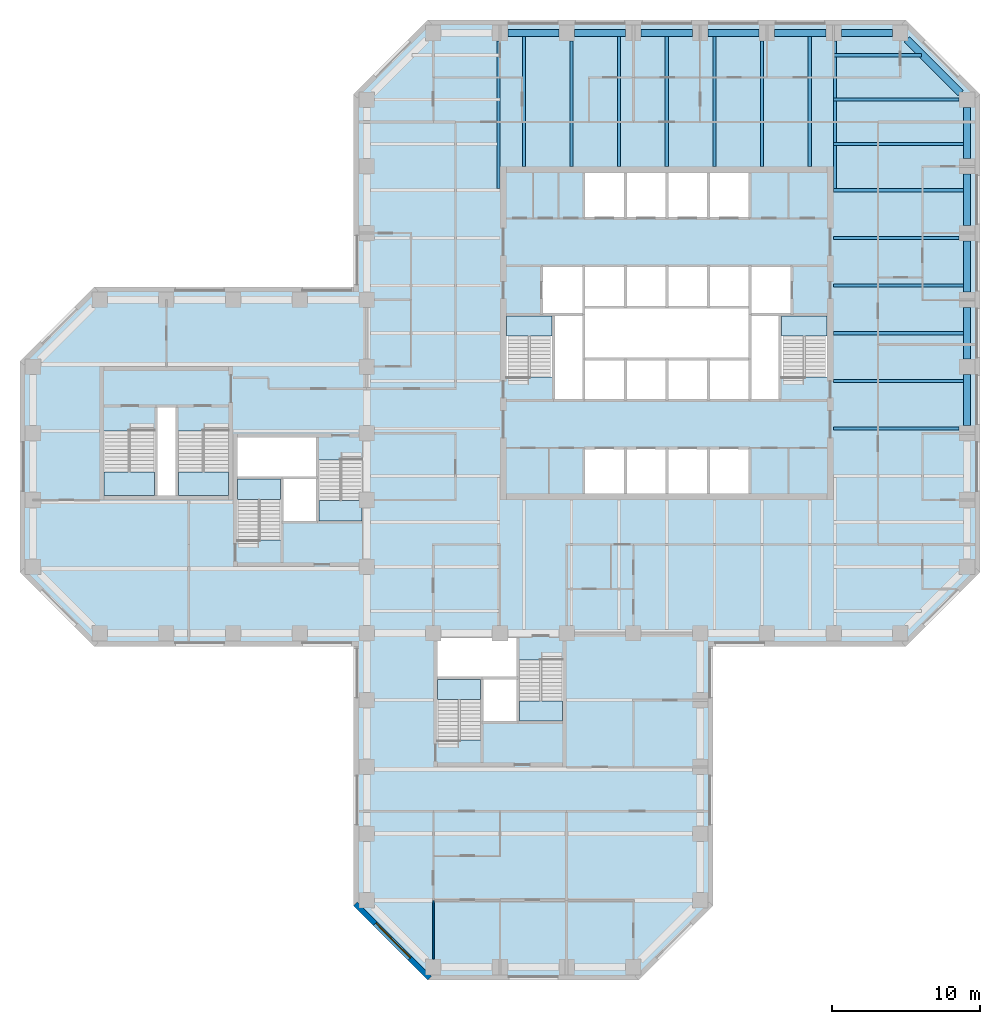
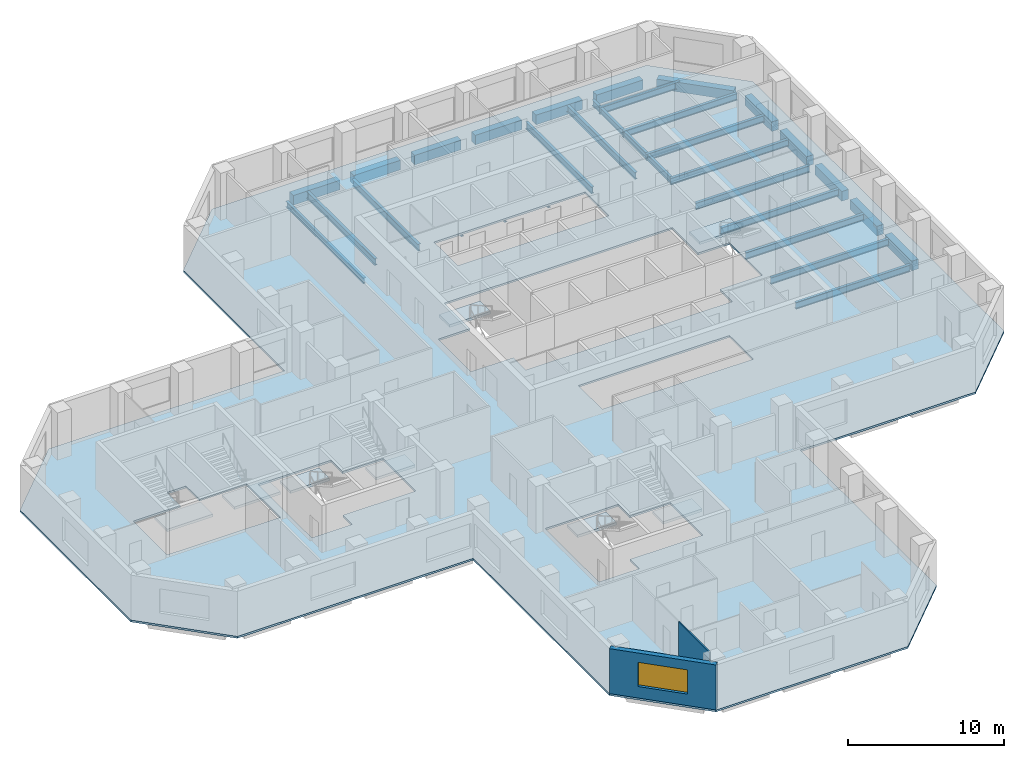
# One storey, part 2 of 11: 30 beams, 9 slabs, 2 walls, 1 window, 1 opening, 8 elements without a shape of their own.
"""IFC4 building model written with IfcOpenShell, lengths in metres."""

from ifc_helpers import new_model, si_unit, direction, frame, frame_2d, origin, origin_2d, place, context, subcontext, project, spatial, polyline, rectangle, i_section, outline, extrude, material, layer, layer_set, constituent, constituent_set, material_profile, profile_set, type_object, element, fill, aggregate, save


model = new_model("IFC4")

# Units and contexts
model_context = context("Model", 3, precision=1e-05, world=origin(), true_north=direction((0.0, 1.0)))
body_context = subcontext(model_context, "Body", "Model", "MODEL_VIEW")
ifc_project = project(units=[si_unit("LENGTHUNIT", "METRE"), si_unit("AREAUNIT", "SQUARE_METRE"), si_unit("VOLUMEUNIT", "CUBIC_METRE"), si_unit("PLANEANGLEUNIT", "RADIAN"), si_unit("MASSUNIT", "GRAM", prefix="KILO")], contexts=[model_context])

# Site, building, storey
site_placement = place(None, origin())
site = spatial("IfcSite", under=ifc_project, at=site_placement, CompositionType="ELEMENT")
building_placement = place(site_placement, origin())
building = spatial("IfcBuilding", under=site, at=building_placement, Name="Quoin Convention Tower", CompositionType="ELEMENT")
storey_placement = place(building_placement, frame((0.0, 0.0, 115.89990234375)))
storey = spatial("IfcBuildingStorey", under=building, at=storey_placement, Name="L30", CompositionType="ELEMENT", Elevation=115.89990234375)

# Beams
ifc_material_1 = material(Name="Steel Grade 300", Category="steel")
ifc_material_profile_1 = material_profile(ifc_material_1, i_section(OverallWidth=0.18994140625, OverallDepth=0.4541015625, WebThickness=0.008544921875, FlangeThickness=0.0126953125, FilletRadius=0.011474609375, at=origin_2d()), Name="460UB67.1")
ifc_profile_set_1 = profile_set([ifc_material_profile_1], Name="Steel Grade 300")
beam_type_1 = type_object("IfcBeamType", Name="460UB67.1", PredefinedType="BEAM", material=ifc_profile_set_1)
for number, where, z_axis, x_axis, name in (
    (1, (44.8955078125, 80.47509765625, -0.376953125), (0.0, -1.0, 0.0), (1.0, 0.0, 0.0), "gir-L30-T1NW"),
    (2, (67.6044921875, 80.47509765625, -0.376953125), (0.0, -1.0, 0.0), (1.0, 0.0, 0.0), "gir-L30-T1NE"),
):
    element("IfcBeam", number, at=place(storey_placement, frame(where, z_axis=z_axis, x_axis=x_axis)), inside=storey, type_object=beam_type_1, Name=name, PredefinedType="BEAM", context=body_context, shape_type="SweptSolid", body=[
        extrude(i_section(OverallWidth=0.18994140625, OverallDepth=0.4541015625, WebThickness=0.008544921875, FlangeThickness=0.0126953125, FilletRadius=0.011474609375, at=origin_2d()), origin(), (0.0, 0.0, 1.0), 9.977783203125),
    ])
ifc_material_profile_2 = material_profile(ifc_material_1, i_section(OverallWidth=0.208984375, OverallDepth=0.528076171875, WebThickness=0.009521484375, FlangeThickness=0.01318359375, FilletRadius=0.013916015625, at=origin_2d()), Name="530UB82.0")
ifc_profile_set_2 = profile_set([ifc_material_profile_2], Name="Steel Grade 300")
beam_type_2 = type_object("IfcBeamType", Name="530UB82.0", PredefinedType="BEAM", material=ifc_profile_set_2)
beam_1_placement = place(storey_placement, frame((67.5, 54.3212890625, -0.413818359375), z_axis=(1.0, 0.0, 0.0), x_axis=(0.0, 1.0, 0.0)))
element("IfcBeam", 3, at=beam_1_placement, inside=storey, type_object=beam_type_2, Name="bm-L30-T1E1", PredefinedType="BEAM", context=body_context, shape_type="SweptSolid", body=[
    extrude(i_section(OverallWidth=0.208984375, OverallDepth=0.528076171875, WebThickness=0.009521484375, FlangeThickness=0.01318359375, FilletRadius=0.013916015625, at=origin_2d()), origin(), (0.0, 0.0, 1.0), 8.47509765625),
])
for number, where, z_axis, x_axis, name in (
    (4, (67.5, 57.53564453125, -0.413818359375), (1.0, 0.0, 0.0), (0.0, 1.0, 0.0), "bm-L30-T1E2"),
    (5, (67.5, 60.75, -0.413818359375), (1.0, 0.0, 0.0), (0.0, 1.0, 0.0), "bm-L30-T1E3"),
    (6, (67.5, 63.96435546875, -0.413818359375), (1.0, 0.0, 0.0), (0.0, 1.0, 0.0), "bm-L30-T1E4"),
):
    element("IfcBeam", number, at=place(storey_placement, frame(where, z_axis=z_axis, x_axis=x_axis)), inside=storey, type_object=beam_type_2, Name=name, PredefinedType="BEAM", context=body_context, shape_type="SweptSolid", body=[
        extrude(i_section(OverallWidth=0.208984375, OverallDepth=0.528076171875, WebThickness=0.009521484375, FlangeThickness=0.01318359375, FilletRadius=0.013916015625, at=origin_2d()), origin(), (0.0, 0.0, 1.0), 8.75),
    ])
beam_2_placement = place(storey_placement, frame((67.5, 67.1787109375, -0.413818359375), z_axis=(1.0, 0.0, 0.0), x_axis=(0.0, 1.0, 0.0)))
element("IfcBeam", 7, at=beam_2_placement, inside=storey, type_object=beam_type_2, Name="bm-L30-T1E5", PredefinedType="BEAM", context=body_context, shape_type="SweptSolid", body=[
    extrude(i_section(OverallWidth=0.208984375, OverallDepth=0.528076171875, WebThickness=0.009521484375, FlangeThickness=0.01318359375, FilletRadius=0.013916015625, at=origin_2d()), origin(), (0.0, 0.0, 1.0), 8.47509765625),
])
for number, where, z_axis, x_axis, name in (
    (8, (67.5, 70.392822265625, -0.413818359375), (1.0, 0.0, 0.0), (0.0, 1.0, 0.0), "bm-L30-T1E6"),
    (9, (46.607177734375, 72.0, -0.413818359375), (0.0, 1.0, 0.0), (-1.0, 0.0, 0.0), "bm-L30-T1N0"),
):
    element("IfcBeam", number, at=place(storey_placement, frame(where, z_axis=z_axis, x_axis=x_axis)), inside=storey, type_object=beam_type_2, Name=name, PredefinedType="BEAM", context=body_context, shape_type="SweptSolid", body=[
        extrude(i_section(OverallWidth=0.208984375, OverallDepth=0.528076171875, WebThickness=0.009521484375, FlangeThickness=0.01318359375, FilletRadius=0.013916015625, at=origin_2d()), origin(), (0.0, 0.0, 1.0), 8.75),
    ])
beam_3_placement = place(storey_placement, frame((49.8212890625, 72.0, -0.413818359375), z_axis=(0.0, 1.0, 0.0), x_axis=(-1.0, 0.0, 0.0)))
element("IfcBeam", 10, at=beam_3_placement, inside=storey, type_object=beam_type_2, Name="bm-L30-T1N1", PredefinedType="BEAM", context=body_context, shape_type="SweptSolid", body=[
    extrude(i_section(OverallWidth=0.208984375, OverallDepth=0.528076171875, WebThickness=0.009521484375, FlangeThickness=0.01318359375, FilletRadius=0.013916015625, at=origin_2d()), origin(), (0.0, 0.0, 1.0), 8.47509765625),
])
for number, where, z_axis, x_axis, name in (
    (11, (53.03564453125, 72.0, -0.413818359375), (0.0, 1.0, 0.0), (-1.0, 0.0, 0.0), "bm-L30-T1N2"),
    (12, (56.25, 72.0, -0.413818359375), (0.0, 1.0, 0.0), (-1.0, 0.0, 0.0), "bm-L30-T1N3"),
    (13, (59.46435546875, 72.0, -0.413818359375), (0.0, 1.0, 0.0), (-1.0, 0.0, 0.0), "bm-L30-T1N4"),
):
    element("IfcBeam", number, at=place(storey_placement, frame(where, z_axis=z_axis, x_axis=x_axis)), inside=storey, type_object=beam_type_2, Name=name, PredefinedType="BEAM", context=body_context, shape_type="SweptSolid", body=[
        extrude(i_section(OverallWidth=0.208984375, OverallDepth=0.528076171875, WebThickness=0.009521484375, FlangeThickness=0.01318359375, FilletRadius=0.013916015625, at=origin_2d()), origin(), (0.0, 0.0, 1.0), 8.75),
    ])
beam_4_placement = place(storey_placement, frame((62.6787109375, 72.0, -0.413818359375), z_axis=(0.0, 1.0, 0.0), x_axis=(-1.0, 0.0, 0.0)))
element("IfcBeam", 14, at=beam_4_placement, inside=storey, type_object=beam_type_2, Name="bm-L30-T1N5", PredefinedType="BEAM", context=body_context, shape_type="SweptSolid", body=[
    extrude(i_section(OverallWidth=0.208984375, OverallDepth=0.528076171875, WebThickness=0.009521484375, FlangeThickness=0.01318359375, FilletRadius=0.013916015625, at=origin_2d()), origin(), (0.0, 0.0, 1.0), 8.47509765625),
])
beam_5_placement = place(storey_placement, frame((65.892822265625, 72.0, -0.413818359375), z_axis=(0.0, 1.0, 0.0), x_axis=(-1.0, 0.0, 0.0)))
element("IfcBeam", 15, at=beam_5_placement, inside=storey, type_object=beam_type_2, Name="bm-L30-T1N6", PredefinedType="BEAM", context=body_context, shape_type="SweptSolid", body=[
    extrude(i_section(OverallWidth=0.208984375, OverallDepth=0.528076171875, WebThickness=0.009521484375, FlangeThickness=0.01318359375, FilletRadius=0.013916015625, at=origin_2d()), origin(), (0.0, 0.0, 1.0), 8.75),
])
beam_6_placement = place(storey_placement, frame((67.5, 79.5, -0.413818359375), z_axis=(1.0, 0.0, 0.0), x_axis=(0.0, 1.0, 0.0)))
element("IfcBeam", 16, at=beam_6_placement, inside=storey, type_object=beam_type_2, Name="bm-L30-T1NE0", PredefinedType="BEAM", context=body_context, shape_type="SweptSolid", body=[
    extrude(i_section(OverallWidth=0.208984375, OverallDepth=0.528076171875, WebThickness=0.009521484375, FlangeThickness=0.01318359375, FilletRadius=0.013916015625, at=origin_2d()), origin(), (0.0, 0.0, 1.0), 5.927734375),
])
beam_7_placement = place(storey_placement, frame((67.5, 76.5, -0.413818359375), z_axis=(1.0, 0.0, 0.0), x_axis=(0.0, 1.0, 0.0)))
element("IfcBeam", 17, at=beam_7_placement, inside=storey, type_object=beam_type_2, Name="bm-L30-T1NE1", PredefinedType="BEAM", context=body_context, shape_type="SweptSolid", body=[
    extrude(i_section(OverallWidth=0.208984375, OverallDepth=0.528076171875, WebThickness=0.009521484375, FlangeThickness=0.01318359375, FilletRadius=0.013916015625, at=origin_2d()), origin(), (0.0, 0.0, 1.0), 8.47509765625),
])
beam_8_placement = place(storey_placement, frame((67.5, 73.5, -0.413818359375), z_axis=(1.0, 0.0, 0.0), x_axis=(0.0, 1.0, 0.0)))
element("IfcBeam", 18, at=beam_8_placement, inside=storey, type_object=beam_type_2, Name="bm-L30-T1NE2", PredefinedType="BEAM", context=body_context, shape_type="SweptSolid", body=[
    extrude(i_section(OverallWidth=0.208984375, OverallDepth=0.528076171875, WebThickness=0.009521484375, FlangeThickness=0.01318359375, FilletRadius=0.013916015625, at=origin_2d()), origin(), (0.0, 0.0, 1.0), 8.75),
])
ifc_material_2 = material(Name="Concrete C65", Category="concrete")
ifc_material_profile_3 = material_profile(ifc_material_2, rectangle(XDim=0.5, YDim=0.75, at=origin_2d()), Name="RC 500x750")
ifc_profile_set_3 = profile_set([ifc_material_profile_3], Name="Concrete C65")
beam_type_3 = type_object("IfcBeamType", Name="RC 500x750 C65", PredefinedType="SPANDREL", material=ifc_profile_set_3)
for number, where, z_axis, x_axis, name in (
    (19, (76.5, 54.52490234375, -0.52490234375), (0.0, 1.0, 0.0), (-1.0, 0.0, 0.0), "spd-L30-76500_54000-76500_58500"),
    (20, (76.5, 59.02490234375, -0.52490234375), (0.0, 1.0, 0.0), (-1.0, 0.0, 0.0), "spd-L30-76500_58500-76500_63000"),
    (21, (76.5, 63.52490234375, -0.52490234375), (0.0, 1.0, 0.0), (-1.0, 0.0, 0.0), "spd-L30-76500_63000-76500_67500"),
    (22, (76.5, 68.02490234375, -0.52490234375), (0.0, 1.0, 0.0), (-1.0, 0.0, 0.0), "spd-L30-76500_67500-76500_72000"),
    (23, (76.5, 72.52490234375, -0.52490234375), (0.0, 1.0, 0.0), (-1.0, 0.0, 0.0), "spd-L30-76500_72000-76500_76500"),
):
    element("IfcBeam", number, at=place(storey_placement, frame(where, z_axis=z_axis, x_axis=x_axis)), inside=storey, type_object=beam_type_3, Name=name, PredefinedType="SPANDREL", context=body_context, shape_type="SweptSolid", body=[
        extrude(rectangle(XDim=0.5, YDim=0.75, at=origin_2d()), origin(), (0.0, 0.0, 1.0), 3.4501953125),
    ])
beam_9_placement = place(storey_placement, frame((76.059814453125, 76.940185546875, -0.52490234375), z_axis=(-0.707106781187, 0.707106781187, 0.0), x_axis=(-0.707106781187, -0.707106781187, 0.0)))
element("IfcBeam", 24, at=beam_9_placement, inside=storey, type_object=beam_type_3, Name="spd-L30-76500_76500-72000_81000", PredefinedType="SPANDREL", context=body_context, shape_type="SweptSolid", body=[
    extrude(rectangle(XDim=0.5, YDim=0.75, at=origin_2d()), origin(), (0.0, 0.0, 1.0), 5.118896484375),
])
for number, where, z_axis, x_axis, name in (
    (25, (71.47509765625, 81.0, -0.52490234375), (-1.0, 0.0, 0.0), (0.0, -1.0, 0.0), "spd-L30-72000_81000-67500_81000"),
    (26, (66.97509765625, 81.0, -0.52490234375), (-1.0, 0.0, 0.0), (0.0, -1.0, 0.0), "spd-L30-67500_81000-63000_81000"),
    (27, (62.47509765625, 81.0, -0.52490234375), (-1.0, 0.0, 0.0), (0.0, -1.0, 0.0), "spd-L30-63000_81000-58500_81000"),
    (28, (57.97509765625, 81.0, -0.52490234375), (-1.0, 0.0, 0.0), (0.0, -1.0, 0.0), "spd-L30-58500_81000-54000_81000"),
    (29, (53.47509765625, 81.0, -0.52490234375), (-1.0, 0.0, 0.0), (0.0, -1.0, 0.0), "spd-L30-54000_81000-49500_81000"),
    (30, (48.97509765625, 81.0, -0.52490234375), (-1.0, 0.0, 0.0), (0.0, -1.0, 0.0), "spd-L30-49500_81000-45000_81000"),
):
    element("IfcBeam", number, at=place(storey_placement, frame(where, z_axis=z_axis, x_axis=x_axis)), inside=storey, type_object=beam_type_3, Name=name, PredefinedType="SPANDREL", context=body_context, shape_type="SweptSolid", body=[
        extrude(rectangle(XDim=0.5, YDim=0.75, at=origin_2d()), origin(), (0.0, 0.0, 1.0), 3.4501953125),
    ])

# Slab
ifc_material_3 = material(Name="Concrete C40", Category="concrete")
ifc_layer_1 = layer(ifc_material_3, 0.14990234375)
ifc_layer_set_1 = layer_set([ifc_layer_1], Name="Concrete C40")
slab_type_1 = type_object("IfcSlabType", Name="COMPOSITE SLAB 150 C40", PredefinedType="FLOOR", material=ifc_layer_set_1)
slab_1_placement = place(storey_placement, frame((0.0, 0.0, -0.14990234375)))
element("IfcSlab", 31, at=slab_1_placement, inside=storey, type_object=slab_type_1, Name="slb-L30", PredefinedType="FLOOR", context=body_context, shape_type="SweptSolid", body=[
    extrude(outline(polyline([(59.375, 22.1376953125), (54.3623046875, 17.125), (40.1376953125, 17.125), (35.125, 22.1376953125), (35.125, 39.625), (17.6376953125, 39.625), (12.625, 44.6376953125), (12.625, 58.8623046875), (17.6376953125, 63.875), (35.125, 63.875), (35.125, 76.8623046875), (40.1376953125, 81.875), (72.3623046875, 81.875), (77.375, 76.8623046875), (77.375, 44.6376953125), (72.3623046875, 39.625), (59.375, 39.625), (59.375, 22.1376953125)]), holes=[polyline([(40.800048828125, 40.199951171875), (40.800048828125, 37.5), (40.800048828125, 33.300537109375), (43.800048828125, 33.300537109375), (43.800048828125, 34.5), (46.199951171875, 34.5), (49.199951171875, 34.5), (49.199951171875, 38.699462890625), (46.199951171875, 38.699462890625), (46.199951171875, 40.199951171875), (40.800048828125, 40.199951171875)]), polyline([(35.699951171875, 52.199462890625), (32.699951171875, 52.199462890625), (32.699951171875, 53.699951171875), (27.300048828125, 53.699951171875), (27.300048828125, 51.0), (27.300048828125, 46.800537109375), (30.300048828125, 46.800537109375), (30.300048828125, 48.0), (32.699951171875, 48.0), (35.699951171875, 48.0), (35.699951171875, 52.199462890625)]), polyline([(53.449951171875, 49.949951171875), (56.25, 49.949951171875), (59.050048828125, 49.949951171875), (61.85009765625, 49.949951171875), (61.85009765625, 53.0), (59.050048828125, 53.0), (56.25, 53.0), (53.449951171875, 53.0), (50.64990234375, 53.0), (50.64990234375, 49.949951171875), (53.449951171875, 49.949951171875)]), polyline([(21.800048828125, 55.85009765625), (21.800048828125, 54.1494140625), (18.300048828125, 54.1494140625), (18.300048828125, 49.800048828125), (21.800048828125, 49.800048828125), (23.199951171875, 49.800048828125), (26.699951171875, 49.800048828125), (26.699951171875, 54.1494140625), (23.199951171875, 54.1494140625), (23.199951171875, 55.85009765625), (21.800048828125, 55.85009765625)]), polyline([(48.60009765625, 57.800537109375), (48.60009765625, 56.199951171875), (50.64990234375, 56.199951171875), (53.449951171875, 56.199951171875), (56.25, 56.199951171875), (59.050048828125, 56.199951171875), (61.85009765625, 56.199951171875), (63.89990234375, 56.199951171875), (63.89990234375, 57.800537109375), (67.050048828125, 57.800537109375), (67.050048828125, 62.0), (64.699951171875, 62.0), (64.699951171875, 65.300048828125), (61.85009765625, 65.300048828125), (59.050048828125, 65.300048828125), (56.25, 65.300048828125), (53.449951171875, 65.300048828125), (50.64990234375, 65.300048828125), (47.800048828125, 65.300048828125), (47.800048828125, 62.0), (45.449951171875, 62.0), (45.449951171875, 57.800537109375), (48.60009765625, 57.800537109375)]), polyline([(50.64990234375, 68.5), (53.449951171875, 68.5), (56.25, 68.5), (59.050048828125, 68.5), (61.85009765625, 68.5), (61.85009765625, 71.550048828125), (59.050048828125, 71.550048828125), (56.25, 71.550048828125), (53.449951171875, 71.550048828125), (50.64990234375, 71.550048828125), (50.64990234375, 68.5)])]), origin(), (0.0, 0.0, 1.0), 0.14990234375),
])

# Stair, slab
stair_type_1 = type_object("IfcStairType", Name="Exit stair two-flight 1350", PredefinedType="HALF_TURN_STAIR", material=ifc_material_3)
stair_1_placement = place(storey_placement, origin())
stair_1 = element("IfcStair", 32, at=stair_1_placement, inside=storey, type_object=stair_type_1, Name="SD1 L30", PredefinedType="HALF_TURN_STAIR")
ifc_layer_2 = layer(ifc_material_3, 0.199951171875)
ifc_layer_set_2 = layer_set([ifc_layer_2], Name="Concrete C40")
slab_type_2 = type_object("IfcSlabType", Name="Stair landing 200", PredefinedType="LANDING", material=ifc_layer_set_2)
slab_2_placement = place(storey_placement, frame((0.0, 0.0, 1.79248046875)))
slab_2 = element("IfcSlab", 33, at=slab_2_placement, type_object=slab_type_2, Name="ST1 landing 1", PredefinedType="LANDING", context=body_context, shape_type="SweptSolid", body=[
    extrude(outline(polyline([(45.449951171875, 60.550048828125), (48.5, 60.550048828125), (48.5, 61.89990234375), (45.449951171875, 61.89990234375), (45.449951171875, 60.550048828125)])), origin(), (0.0, 0.0, 1.0), 0.199951171875),
])
aggregate(stair_1, [slab_2])

stair_2_placement = place(storey_placement, origin())
stair_2 = element("IfcStair", 34, at=stair_2_placement, inside=storey, type_object=stair_type_1, Name="SD2 L30", PredefinedType="HALF_TURN_STAIR")
slab_3_placement = place(storey_placement, frame((0.0, 0.0, 1.79248046875)))
slab_3 = element("IfcSlab", 35, at=slab_3_placement, type_object=slab_type_2, Name="ST2 landing 1", PredefinedType="LANDING", context=body_context, shape_type="SweptSolid", body=[
    extrude(outline(polyline([(64.0, 60.550048828125), (67.050048828125, 60.550048828125), (67.050048828125, 61.89990234375), (64.0, 61.89990234375), (64.0, 60.550048828125)])), origin(), (0.0, 0.0, 1.0), 0.199951171875),
])
aggregate(stair_2, [slab_3])

stair_3_placement = place(storey_placement, origin())
stair_3 = element("IfcStair", 36, at=stair_3_placement, inside=storey, type_object=stair_type_1, Name="SD3 L30", PredefinedType="HALF_TURN_STAIR")
slab_4_placement = place(storey_placement, frame((0.0, 0.0, 1.79248046875)))
slab_4 = element("IfcSlab", 37, at=slab_4_placement, type_object=slab_type_2, Name="ST3 landing 1", PredefinedType="LANDING", context=body_context, shape_type="SweptSolid", body=[
    extrude(outline(polyline([(27.300048828125, 49.550048828125), (30.199951171875, 49.550048828125), (30.199951171875, 50.89990234375), (27.300048828125, 50.89990234375), (27.300048828125, 49.550048828125)])), origin(), (0.0, 0.0, 1.0), 0.199951171875),
])
aggregate(stair_3, [slab_4])

stair_4_placement = place(storey_placement, origin())
stair_4 = element("IfcStair", 38, at=stair_4_placement, inside=storey, type_object=stair_type_1, Name="SD4 L30", PredefinedType="HALF_TURN_STAIR")
slab_5_placement = place(storey_placement, frame((0.0, 0.0, 1.79248046875)))
slab_5 = element("IfcSlab", 39, at=slab_5_placement, type_object=slab_type_2, Name="ST4 landing 1", PredefinedType="LANDING", context=body_context, shape_type="SweptSolid", body=[
    extrude(outline(polyline([(35.699951171875, 49.449951171875), (32.800048828125, 49.449951171875), (32.800048828125, 48.10009765625), (35.699951171875, 48.10009765625), (35.699951171875, 49.449951171875)])), origin(), (0.0, 0.0, 1.0), 0.199951171875),
])
aggregate(stair_4, [slab_5])

stair_5_placement = place(storey_placement, origin())
stair_5 = element("IfcStair", 40, at=stair_5_placement, inside=storey, type_object=stair_type_1, Name="SD5 L30", PredefinedType="HALF_TURN_STAIR")
slab_6_placement = place(storey_placement, frame((0.0, 0.0, 1.79248046875)))
slab_6 = element("IfcSlab", 41, at=slab_6_placement, type_object=slab_type_2, Name="ST5 landing 1", PredefinedType="LANDING", context=body_context, shape_type="SweptSolid", body=[
    extrude(outline(polyline([(40.800048828125, 36.050048828125), (43.699951171875, 36.050048828125), (43.699951171875, 37.39990234375), (40.800048828125, 37.39990234375), (40.800048828125, 36.050048828125)])), origin(), (0.0, 0.0, 1.0), 0.199951171875),
])
aggregate(stair_5, [slab_6])

stair_6_placement = place(storey_placement, origin())
stair_6 = element("IfcStair", 42, at=stair_6_placement, inside=storey, type_object=stair_type_1, Name="SD6 L30", PredefinedType="HALF_TURN_STAIR")
slab_7_placement = place(storey_placement, frame((0.0, 0.0, 1.79248046875)))
slab_7 = element("IfcSlab", 43, at=slab_7_placement, type_object=slab_type_2, Name="ST6 landing 1", PredefinedType="LANDING", context=body_context, shape_type="SweptSolid", body=[
    extrude(outline(polyline([(49.199951171875, 35.949951171875), (46.300048828125, 35.949951171875), (46.300048828125, 34.60009765625), (49.199951171875, 34.60009765625), (49.199951171875, 35.949951171875)])), origin(), (0.0, 0.0, 1.0), 0.199951171875),
])
aggregate(stair_6, [slab_7])

stair_type_2 = type_object("IfcStairType", Name="Exit stair two-flight 1600", PredefinedType="HALF_TURN_STAIR", material=ifc_material_3)
stair_7_placement = place(storey_placement, origin())
stair_7 = element("IfcStair", 44, at=stair_7_placement, inside=storey, type_object=stair_type_2, Name="SD11 L30", PredefinedType="HALF_TURN_STAIR")
slab_8_placement = place(storey_placement, frame((0.0, 0.0, 1.79248046875)))
slab_8 = element("IfcSlab", 45, at=slab_8_placement, type_object=slab_type_2, Name="ST11 landing 1", PredefinedType="LANDING", context=body_context, shape_type="SweptSolid", body=[
    extrude(outline(polyline([(21.699951171875, 51.39990234375), (18.300048828125, 51.39990234375), (18.300048828125, 49.800048828125), (21.699951171875, 49.800048828125), (21.699951171875, 51.39990234375)])), origin(), (0.0, 0.0, 1.0), 0.199951171875),
])
aggregate(stair_7, [slab_8])

stair_8_placement = place(storey_placement, origin())
stair_8 = element("IfcStair", 46, at=stair_8_placement, inside=storey, type_object=stair_type_2, Name="SD12 L30", PredefinedType="HALF_TURN_STAIR")
slab_9_placement = place(storey_placement, frame((0.0, 0.0, 1.79248046875)))
slab_9 = element("IfcSlab", 47, at=slab_9_placement, type_object=slab_type_2, Name="ST12 landing 1", PredefinedType="LANDING", context=body_context, shape_type="SweptSolid", body=[
    extrude(outline(polyline([(26.699951171875, 51.39990234375), (23.300048828125, 51.39990234375), (23.300048828125, 49.800048828125), (26.699951171875, 49.800048828125), (26.699951171875, 51.39990234375)])), origin(), (0.0, 0.0, 1.0), 0.199951171875),
])
aggregate(stair_8, [slab_9])

# Wall, opening, window
ifc_material_4 = material(Name="Brick masonry", Category="masonry")
ifc_layer_3 = layer(ifc_material_4, 0.35009765625)
ifc_layer_set_3 = layer_set([ifc_layer_3], Name="Brick masonry")
wall_type_1 = type_object("IfcWallType", Name="Brick facade wall", PredefinedType="STANDARD", material=ifc_layer_set_3)
wall_1_placement = place(storey_placement, frame((35.248779296875, 22.26123046875, 0.0), z_axis=(0.0, 0.0, 1.0), x_axis=(0.707106781187, -0.707106781187, 0.0)))
wall_1 = element("IfcWall", 48, at=wall_1_placement, inside=storey, type_object=wall_type_1, Name="fw-L30-36000_22500", PredefinedType="STANDARD", context=body_context, shape_type="SweptSolid", body=[
    extrude(rectangle(XDim=7.088623046875, YDim=0.35009765625, at=frame_2d((3.54443359375, 0.0))), origin(), (0.0, 0.0, 1.0), 3.525146484375),
])
opening_placement = place(wall_1_placement, frame((1.894287109375, 0.0, 0.89990234375)))
opening = element("IfcOpeningElement", 49, at=opening_placement, cuts=wall_1, Name="Opening W-02", PredefinedType="OPENING", context=body_context, shape_type="SweptSolid", body=[
    extrude(rectangle(XDim=3.300048828125, YDim=1.89990234375, at=frame_2d((1.64990234375, 0.949951171875))), frame((0.0, 0.18505859375, 0.0), z_axis=(0.0, -1.0, 0.0), x_axis=(1.0, 0.0, 0.0)), (0.0, 0.0, 1.0), 0.3701171875),
])
ifc_material_5 = material(Name="Aluminium", Category="aluminium")
ifc_constituent_1 = constituent(ifc_material_5, Name="Frame")
ifc_material_6 = material(Name="Insulated glass", Category="glass")
ifc_constituent_2 = constituent(ifc_material_6, Name="Glazing")
ifc_constituent_set = constituent_set(constituents=[ifc_constituent_1, ifc_constituent_2], Name="Aluminium")
window_type = type_object("IfcWindowType", Name="Office window", PartitioningType="DOUBLE_PANEL_VERTICAL", PredefinedType="WINDOW", material=ifc_constituent_set)
window_placement = place(opening_placement, origin())
window = element("IfcWindow", 50, at=window_placement, inside=storey, type_object=window_type, Name="win-L30-37755_19755", OverallHeight=1.89990234375, OverallWidth=3.300048828125, PartitioningType="SINGLE_PANEL", PredefinedType="WINDOW", context=body_context, shape_type="SweptSolid", body=[
    extrude(rectangle(XDim=3.300048828125, YDim=1.89990234375, at=frame_2d((1.64990234375, 0.949951171875))), frame((0.0, 0.0849609375, 0.0), z_axis=(0.0, -1.0, 0.0), x_axis=(1.0, 0.0, 0.0)), (0.0, 0.0, 1.0), 0.06005859375),
])
fill(opening, window)

# Wall
ifc_material_7 = material(Name="Plasterboard")
ifc_layer_4 = layer(ifc_material_7, 0.012451171875, Name="Finish")
ifc_material_8 = material(Name="Steel stud framing", Category="steel")
ifc_layer_5 = layer(ifc_material_8, 0.074951171875, Name="Structure")
ifc_layer_6 = layer(ifc_material_7, 0.012451171875, Name="Finish")
ifc_layer_set_4 = layer_set([ifc_layer_4, ifc_layer_5, ifc_layer_6], Name="Steel stud framing")
wall_type_2 = type_object("IfcWallType", Name="Stud partition 100", PredefinedType="PARTITIONING", material=ifc_layer_set_4)
wall_2_placement = place(storey_placement, frame((40.5, 18.52490234375, 0.0), z_axis=(0.0, 0.0, 1.0), x_axis=(0.0, 1.0, 0.0)))
element("IfcWall", 51, at=wall_2_placement, inside=storey, type_object=wall_type_2, Name="pw-L30-061", PredefinedType="PARTITIONING", context=body_context, shape_type="SweptSolid", body=[
    extrude(rectangle(XDim=3.97509765625, YDim=0.10009765625, at=frame_2d((1.987548828125, 0.0))), origin(), (0.0, 0.0, 1.0), 3.550048828125),
])

save(model, "model.ifc")
